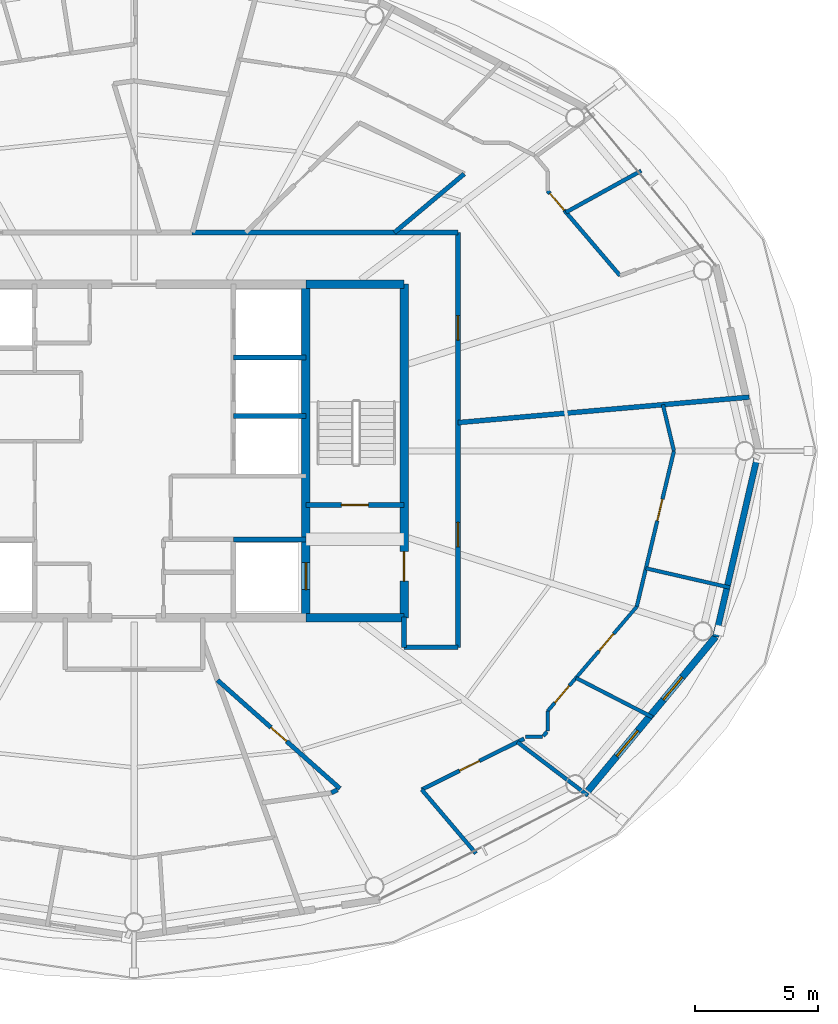
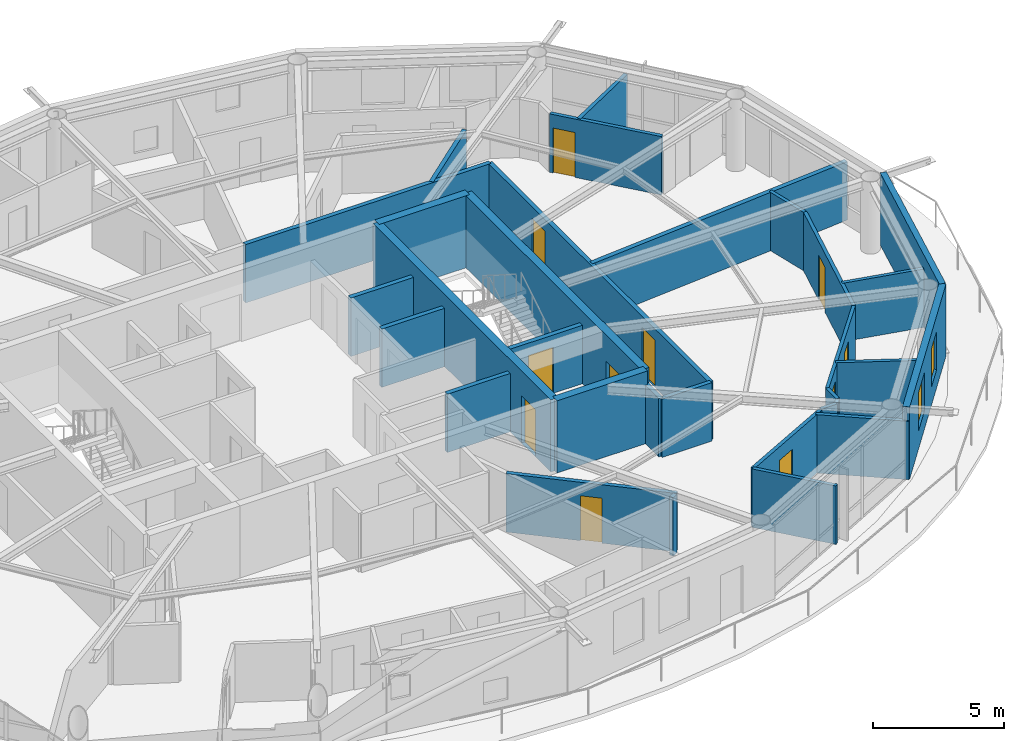
# One storey, part 18 of 23: 31 walls, 11 doors, 2 windows, 13 openings.
"""IFC4 building model written with IfcOpenShell, lengths in metres."""

from ifc_helpers import new_model, si_unit, direction, frame, frame_2d, origin, place, context, subcontext, project, spatial, rectangle, extrude, material, layer, layer_set, type_object, element, fill, save


model = new_model("IFC4")

# Units and contexts
model_context = context("Model", 3, precision=1e-05, world=origin(), true_north=direction((0.0, 1.0)))
body_context = subcontext(model_context, "Body", "Model", "MODEL_VIEW")
ifc_project = project(units=[si_unit("LENGTHUNIT", "METRE"), si_unit("AREAUNIT", "SQUARE_METRE"), si_unit("VOLUMEUNIT", "CUBIC_METRE"), si_unit("PLANEANGLEUNIT", "RADIAN"), si_unit("MASSUNIT", "GRAM", prefix="KILO")], contexts=[model_context])

# Site, building, storey
site_placement = place(None, origin())
site = spatial("IfcSite", under=ifc_project, at=site_placement, CompositionType="ELEMENT")
building_placement = place(site_placement, origin())
building = spatial("IfcBuilding", under=site, at=building_placement, Name="Sarneth Arch Tower", CompositionType="ELEMENT")
storey_placement = place(building_placement, frame((0.0, 0.0, 273.0)))
storey = spatial("IfcBuildingStorey", under=building, at=storey_placement, Name="L70", CompositionType="ELEMENT", Elevation=273.0)

# Walls
ifc_material_1 = material(Name="Concrete C50/60", Category="concrete")
ifc_layer_1 = layer(ifc_material_1, 0.35009765625)
ifc_layer_set_1 = layer_set([ifc_layer_1], Name="Concrete C50/60")
wall_type_1 = type_object("IfcWallType", Name="WALL-CORE-350", PredefinedType="SHEAR", material=ifc_layer_set_1)
for number, where, z_axis, x_axis, name in (
    (1, (55.0, 35.199951171875, 0.0), (0.0, 0.0, 1.0), (1.0, 0.0, 0.0), "L70 Core shear wall S-E"),
    (2, (55.0, 48.800048828125, 0.0), (0.0, 0.0, 1.0), (1.0, 0.0, 0.0), "L70 Core shear wall N-E"),
):
    element("IfcWall", number, at=place(storey_placement, frame(where, z_axis=z_axis, x_axis=x_axis)), inside=storey, type_object=wall_type_1, Name=name, PredefinedType="SHEAR", context=body_context, shape_type="SweptSolid", body=[
        extrude(rectangle(XDim=4.0, YDim=0.35009765625, at=frame_2d((2.0, 0.0))), origin(), (0.0, 0.0, 1.0), 3.3701171875),
    ])

# Wall, opening, door
wall_1_placement = place(storey_placement, frame((59.0, 35.199951171875, 0.0), z_axis=(0.0, 0.0, 1.0), x_axis=(0.0, 1.0, 0.0)))
wall_1 = element("IfcWall", 3, at=wall_1_placement, inside=storey, type_object=wall_type_1, Name="L70 Core shear wall E", PredefinedType="SHEAR", context=body_context, shape_type="SweptSolid", body=[
    extrude(rectangle(XDim=13.60009765625, YDim=0.35009765625, at=frame_2d((6.800048828125, 0.0))), origin(), (0.0, 0.0, 1.0), 3.3701171875),
])
opening_1_placement = place(wall_1_placement, frame((1.5, 0.0, 0.0)))
opening_1 = element("IfcOpeningElement", 4, at=opening_1_placement, cuts=wall_1, Name="Opening FD-02", PredefinedType="OPENING", context=body_context, shape_type="SweptSolid", body=[
    extrude(rectangle(XDim=1.199951171875, YDim=2.14990234375, at=frame_2d((0.60009765625, 1.074951171875))), frame((0.0, 0.18505859375, 0.0), z_axis=(0.0, -1.0, 0.0), x_axis=(1.0, 0.0, 0.0)), (0.0, 0.0, 1.0), 0.3701171875),
])
ifc_material_2 = material(Name="Galvanised Steel S275 fire door set", Category="steel")
door_type_1 = type_object("IfcDoorType", Name="DR-FD90-1200", OperationType="SINGLE_SWING_LEFT", PredefinedType="DOOR", material=ifc_material_2)
door_1_placement = place(opening_1_placement, origin())
door_1 = element("IfcDoor", 5, at=door_1_placement, inside=storey, type_object=door_type_1, Name="L70 Firefighting lobby 2 exit door", OperationType="SINGLE_SWING_RIGHT", OverallHeight=2.14990234375, OverallWidth=1.199951171875, PredefinedType="DOOR", context=body_context, shape_type="SweptSolid", body=[
    extrude(rectangle(XDim=1.199951171875, YDim=2.14990234375, at=frame_2d((0.60009765625, 1.074951171875))), frame((0.0, 0.02490234375, 0.0), z_axis=(0.0, -1.0, 0.0), x_axis=(1.0, 0.0, 0.0)), (0.0, 0.0, 1.0), 0.050048828125),
])
fill(opening_1, door_1)

wall_2_placement = place(storey_placement, frame((55.0, 35.199951171875, 0.0), z_axis=(0.0, 0.0, 1.0), x_axis=(0.0, 1.0, 0.0)))
wall_2 = element("IfcWall", 6, at=wall_2_placement, inside=storey, type_object=wall_type_1, Name="L70 Core shear wall WEB-E", PredefinedType="SHEAR", context=body_context, shape_type="SweptSolid", body=[
    extrude(rectangle(XDim=13.60009765625, YDim=0.35009765625, at=frame_2d((6.800048828125, 0.0))), origin(), (0.0, 0.0, 1.0), 3.3701171875),
])
opening_2_placement = place(wall_2_placement, frame((1.14990234375, 0.0, 0.0)))
opening_2 = element("IfcOpeningElement", 7, at=opening_2_placement, cuts=wall_2, Name="Opening LD-1", PredefinedType="OPENING", context=body_context, shape_type="SweptSolid", body=[
    extrude(rectangle(XDim=1.10009765625, YDim=2.199951171875, at=frame_2d((0.550048828125, 1.10009765625))), frame((0.0, 0.18505859375, 0.0), z_axis=(0.0, -1.0, 0.0), x_axis=(1.0, 0.0, 0.0)), (0.0, 0.0, 1.0), 0.3701171875),
])
ifc_material_3 = material(Name="Brushed Stainless Steel 304 lift landing door", Category="steel")
door_type_2 = type_object("IfcDoorType", Name="DR-LIFT-SLIDE-1100", OperationType="SLIDING_TO_LEFT", PredefinedType="DOOR", material=ifc_material_3)
door_2_placement = place(opening_2_placement, origin())
door_2 = element("IfcDoor", 8, at=door_2_placement, inside=storey, type_object=door_type_2, Name="L70 Firefighting lift landing door FL-2", OperationType="SLIDING_TO_RIGHT", OverallHeight=2.199951171875, OverallWidth=1.10009765625, PredefinedType="DOOR", context=body_context, shape_type="SweptSolid", body=[
    extrude(rectangle(XDim=1.10009765625, YDim=2.199951171875, at=frame_2d((0.550048828125, 1.10009765625))), frame((0.0, 0.02490234375, 0.0), z_axis=(0.0, -1.0, 0.0), x_axis=(1.0, 0.0, 0.0)), (0.0, 0.0, 1.0), 0.050048828125),
])
fill(opening_2, door_2)

# Wall, openings, doors
ifc_material_4 = material(Name="Double steel-stud corridor fire wall", Category="steel")
ifc_layer_2 = layer(ifc_material_4, 0.18994140625)
ifc_layer_set_2 = layer_set([ifc_layer_2], Name="Double steel-stud corridor fire wall")
wall_type_2 = type_object("IfcWallType", Name="WALL-CORR-190", PredefinedType="PARTITIONING", material=ifc_layer_set_2)
wall_3_placement = place(storey_placement, frame((61.199951171875, 50.89990234375, 0.0), z_axis=(0.0, 0.0, 1.0), x_axis=(0.0, -1.0, 0.0)))
wall_3 = element("IfcWall", 9, at=wall_3_placement, inside=storey, type_object=wall_type_2, Name="L70 Interior partition W-L70-TP-012", PredefinedType="PARTITIONING", context=body_context, shape_type="SweptSolid", body=[
    extrude(rectangle(XDim=16.89990234375, YDim=0.18994140625, at=frame_2d((8.449951171875, 0.0))), origin(), (0.0, 0.0, 1.0), 2.72998046875),
])
opening_3_placement = place(wall_3_placement, frame((11.806640625, 0.0, 0.0)))
opening_3 = element("IfcOpeningElement", 10, at=opening_3_placement, cuts=wall_3, Name="Opening FD-08", PredefinedType="OPENING", context=body_context, shape_type="SweptSolid", body=[
    extrude(rectangle(XDim=1.0, YDim=2.199951171875, at=frame_2d((0.5, 1.10009765625))), frame((0.0, 0.10498046875, 0.0), z_axis=(0.0, -1.0, 0.0), x_axis=(1.0, 0.0, 0.0)), (0.0, 0.0, 1.0), 0.2099609375),
])
opening_4_placement = place(wall_3_placement, frame((3.388671875, 0.0, 0.0)))
opening_4 = element("IfcOpeningElement", 11, at=opening_4_placement, cuts=wall_3, Name="Opening FD-08", PredefinedType="OPENING", context=body_context, shape_type="SweptSolid", body=[
    extrude(rectangle(XDim=1.0, YDim=2.199951171875, at=frame_2d((0.5, 1.10009765625))), frame((0.0, 0.10498046875, 0.0), z_axis=(0.0, -1.0, 0.0), x_axis=(1.0, 0.0, 0.0)), (0.0, 0.0, 1.0), 0.2099609375),
])
ifc_material_5 = material(Name="Hardwood timber acoustic fire door", Category="wood")
door_type_3 = type_object("IfcDoorType", Name="DR-FD60-1000", OperationType="SINGLE_SWING_LEFT", PredefinedType="DOOR", material=ifc_material_5)
door_3_placement = place(opening_3_placement, origin())
door_3 = element("IfcDoor", 12, at=door_3_placement, inside=storey, type_object=door_type_3, Name="L70 Interior door DR-L70-U5-ENT", OperationType="SINGLE_SWING_RIGHT", OverallHeight=2.199951171875, OverallWidth=1.0, PredefinedType="DOOR", context=body_context, shape_type="SweptSolid", body=[
    extrude(rectangle(XDim=1.0, YDim=2.199951171875, at=frame_2d((0.5, 1.10009765625))), frame((0.0, 0.02490234375, 0.0), z_axis=(0.0, -1.0, 0.0), x_axis=(1.0, 0.0, 0.0)), (0.0, 0.0, 1.0), 0.050048828125),
])
fill(opening_3, door_3)
door_4_placement = place(opening_4_placement, origin())
door_4 = element("IfcDoor", 13, at=door_4_placement, inside=storey, type_object=door_type_3, Name="L70 Interior door DR-L70-U1-ENT", OperationType="SINGLE_SWING_LEFT", OverallHeight=2.199951171875, OverallWidth=1.0, PredefinedType="DOOR", context=body_context, shape_type="SweptSolid", body=[
    extrude(rectangle(XDim=1.0, YDim=2.199951171875, at=frame_2d((0.5, 1.10009765625))), frame((0.0, 0.02490234375, 0.0), z_axis=(0.0, -1.0, 0.0), x_axis=(1.0, 0.0, 0.0)), (0.0, 0.0, 1.0), 0.050048828125),
])
fill(opening_4, door_4)

# Walls
wall_4_placement = place(storey_placement, frame((50.3515625, 50.89990234375, 0.0), z_axis=(0.0, 0.0, 1.0), x_axis=(1.0, 0.0, 0.0)))
element("IfcWall", 14, at=wall_4_placement, inside=storey, type_object=wall_type_2, Name="L70 Interior partition W-L70-TP-004", PredefinedType="PARTITIONING", context=body_context, shape_type="SweptSolid", body=[
    extrude(rectangle(XDim=10.848388671875, YDim=0.18994140625, at=frame_2d((5.42431640625, 0.0))), origin(), (0.0, 0.0, 1.0), 2.72998046875),
])
wall_5_placement = place(storey_placement, frame((61.199951171875, 34.0, 0.0), z_axis=(0.0, 0.0, 1.0), x_axis=(-1.0, 0.0, 0.0)))
element("IfcWall", 15, at=wall_5_placement, inside=storey, type_object=wall_type_2, Name="L70 Interior partition W-L70-TP-013", PredefinedType="PARTITIONING", context=body_context, shape_type="SweptSolid", body=[
    extrude(rectangle(XDim=2.199951171875, YDim=0.18994140625, at=frame_2d((1.10009765625, 0.0))), origin(), (0.0, 0.0, 1.0), 2.72998046875),
])
wall_6_placement = place(storey_placement, frame((59.0, 34.0, 0.0), z_axis=(0.0, 0.0, 1.0), x_axis=(0.0, 1.0, 0.0)))
element("IfcWall", 16, at=wall_6_placement, inside=storey, type_object=wall_type_2, Name="L70 Interior partition W-L70-TP-014", PredefinedType="PARTITIONING", context=body_context, shape_type="SweptSolid", body=[
    extrude(rectangle(XDim=1.23193359375, YDim=0.18994140625, at=frame_2d((0.615966796875, 0.0))), origin(), (0.0, 0.0, 1.0), 2.72998046875),
])
ifc_material_6 = material(Name="Extruded terracotta rainscreen on Concrete C40/50 backing", Category="masonry")
ifc_layer_3 = layer(ifc_material_6, 0.25)
ifc_layer_set_3 = layer_set([ifc_layer_3], Name="Extruded terracotta rainscreen on Concrete C40/50 backing")
wall_type_3 = type_object("IfcWallType", Name="WALL-EXT-SPAND-250", PredefinedType="SOLIDWALL", material=ifc_layer_set_3)
wall_7_placement = place(storey_placement, frame((71.69384765625, 34.430419921875, 0.0), z_axis=(0.0, 0.0, 1.0), x_axis=(0.225635078214, 0.974211892495, 0.0)))
element("IfcWall", 17, at=wall_7_placement, inside=storey, type_object=wall_type_3, Name="L70 Terracotta perimeter wall 16", PredefinedType="SOLIDWALL", context=body_context, shape_type="SweptSolid", body=[
    extrude(rectangle(XDim=7.77001953125, YDim=0.25, at=frame_2d((3.885009765625, 0.0))), origin(), (0.0, 0.0, 1.0), 3.3701171875),
])

# Wall, openings, windows
ifc_material_7 = material(Name="Extruded terracotta rainscreen on Concrete C40/50 backing", Category="masonry")
ifc_layer_4 = layer(ifc_material_7, 0.280029296875)
ifc_layer_set_4 = layer_set([ifc_layer_4], Name="Extruded terracotta rainscreen on Concrete C40/50 backing")
wall_type_4 = type_object("IfcWallType", Name="WALL-EXT-TERRA-280", PredefinedType="SOLIDWALL", material=ifc_layer_set_4)
wall_8_placement = place(storey_placement, frame((66.382568359375, 28.013427734375, 0.0), z_axis=(0.0, 0.0, 1.0), x_axis=(0.63761509934, 0.770355103243, 0.0)))
wall_8 = element("IfcWall", 18, at=wall_8_placement, inside=storey, type_object=wall_type_4, Name="L70 Terracotta perimeter wall 15", PredefinedType="SOLIDWALL", context=body_context, shape_type="SweptSolid", body=[
    extrude(rectangle(XDim=8.329833984375, YDim=0.280029296875, at=frame_2d((4.1650390625, 0.0))), origin(), (0.0, 0.0, 1.0), 3.3701171875),
])
opening_5_placement = place(wall_8_placement, frame((2.010986328125, 0.0, 0.85009765625)))
opening_5 = element("IfcOpeningElement", 19, at=opening_5_placement, cuts=wall_8, Name="Opening W-08", PredefinedType="OPENING", context=body_context, shape_type="SweptSolid", body=[
    extrude(rectangle(XDim=1.35009765625, YDim=1.800048828125, at=frame_2d((0.675048828125, 0.89990234375))), frame((0.0, 0.14990234375, 0.0), z_axis=(0.0, -1.0, 0.0), x_axis=(1.0, 0.0, 0.0)), (0.0, 0.0, 1.0), 0.300048828125),
])
opening_6_placement = place(wall_8_placement, frame((4.990966796875, 0.0, 0.85009765625)))
opening_6 = element("IfcOpeningElement", 20, at=opening_6_placement, cuts=wall_8, Name="Opening W-09", PredefinedType="OPENING", context=body_context, shape_type="SweptSolid", body=[
    extrude(rectangle(XDim=1.199951171875, YDim=1.800048828125, at=frame_2d((0.60009765625, 0.89990234375))), frame((0.0, 0.14990234375, 0.0), z_axis=(0.0, -1.0, 0.0), x_axis=(1.0, 0.0, 0.0)), (0.0, 0.0, 1.0), 0.300048828125),
])
ifc_material_8 = material(Name="Thermally broken Aluminium 6063-T6 and low-e laminated IGU", Category="aluminium")
window_type_1 = type_object("IfcWindowType", Name="WIN-TWR-1200x1800", PartitioningType="SINGLE_PANEL", PredefinedType="WINDOW", material=ifc_material_8)
window_1_placement = place(opening_6_placement, origin())
window_1 = element("IfcWindow", 21, at=window_1_placement, inside=storey, type_object=window_type_1, Name="L70 Exterior window 15B", OverallHeight=1.800048828125, OverallWidth=1.199951171875, PartitioningType="SINGLE_PANEL", PredefinedType="WINDOW", context=body_context, shape_type="SweptSolid", body=[
    extrude(rectangle(XDim=1.199951171875, YDim=1.800048828125, at=frame_2d((0.60009765625, 0.89990234375))), frame((0.0, 0.030029296875, 0.0), z_axis=(0.0, -1.0, 0.0), x_axis=(1.0, 0.0, 0.0)), (0.0, 0.0, 1.0), 0.06005859375),
])
fill(opening_6, window_1)
ifc_material_9 = material(Name="Thermally broken Aluminium 6063-T6 and low-e laminated IGU", Category="aluminium")
window_type_2 = type_object("IfcWindowType", Name="WIN-TWR-1350x1800", PartitioningType="SINGLE_PANEL", PredefinedType="WINDOW", material=ifc_material_9)
window_2_placement = place(opening_5_placement, origin())
window_2 = element("IfcWindow", 22, at=window_2_placement, inside=storey, type_object=window_type_2, Name="L70 Exterior window 15A", OverallHeight=1.800048828125, OverallWidth=1.35009765625, PartitioningType="SINGLE_PANEL", PredefinedType="WINDOW", context=body_context, shape_type="SweptSolid", body=[
    extrude(rectangle(XDim=1.35009765625, YDim=1.800048828125, at=frame_2d((0.675048828125, 0.89990234375))), frame((0.0, 0.030029296875, 0.0), z_axis=(0.0, -1.0, 0.0), x_axis=(1.0, 0.0, 0.0)), (0.0, 0.0, 1.0), 0.06005859375),
])
fill(opening_5, window_2)

# Wall, openings, doors
ifc_material_10 = material(Name="Apartment internal stud partition", Category="gypsum")
ifc_layer_5 = layer(ifc_material_10, 0.139892578125)
ifc_layer_set_5 = layer_set([ifc_layer_5], Name="Apartment internal stud partition")
wall_type_5 = type_object("IfcWallType", Name="WALL-PART-140", PredefinedType="PARTITIONING", material=ifc_layer_set_5)
wall_9_placement = place(storey_placement, frame((64.85009765625, 31.401123046875, 0.0), z_axis=(0.0, 0.0, 1.0), x_axis=(0.649208179997, 0.760610767097, 0.0)))
wall_9 = element("IfcWall", 23, at=wall_9_placement, inside=storey, type_object=wall_type_5, Name="L70 Interior partition W-L70-TP-091", PredefinedType="PARTITIONING", context=body_context, shape_type="SweptSolid", body=[
    extrude(rectangle(XDim=5.5927734375, YDim=0.139892578125, at=frame_2d((2.79638671875, 0.0))), origin(), (0.0, 0.0, 1.0), 2.72998046875),
])
opening_7_placement = place(wall_9_placement, frame((3.235107421875, 0.0, 0.0)))
opening_7 = element("IfcOpeningElement", 24, at=opening_7_placement, cuts=wall_9, Name="Opening ID-01", PredefinedType="OPENING", context=body_context, shape_type="SweptSolid", body=[
    extrude(rectangle(XDim=0.89990234375, YDim=2.10009765625, at=frame_2d((0.449951171875, 1.050048828125))), frame((0.0, 0.079833984375, 0.0), z_axis=(0.0, -1.0, 0.0), x_axis=(1.0, 0.0, 0.0)), (0.0, 0.0, 1.0), 0.159912109375),
])
opening_8_placement = place(wall_9_placement, frame((0.455078125, 0.0, 0.0)))
opening_8 = element("IfcOpeningElement", 25, at=opening_8_placement, cuts=wall_9, Name="Opening ID-01", PredefinedType="OPENING", context=body_context, shape_type="SweptSolid", body=[
    extrude(rectangle(XDim=0.89990234375, YDim=2.10009765625, at=frame_2d((0.449951171875, 1.050048828125))), frame((0.0, 0.079833984375, 0.0), z_axis=(0.0, -1.0, 0.0), x_axis=(1.0, 0.0, 0.0)), (0.0, 0.0, 1.0), 0.159912109375),
])
ifc_material_11 = material(Name="Engineered hardwood flush door", Category="wood")
door_type_4 = type_object("IfcDoorType", Name="DR-INT-900", OperationType="SINGLE_SWING_LEFT", PredefinedType="DOOR", material=ifc_material_11)
door_5_placement = place(opening_7_placement, origin())
door_5 = element("IfcDoor", 26, at=door_5_placement, inside=storey, type_object=door_type_4, Name="L70 Interior door DR-L70-U5-BED2", OperationType="SINGLE_SWING_LEFT", OverallHeight=2.10009765625, OverallWidth=0.89990234375, PredefinedType="DOOR", context=body_context, shape_type="SweptSolid", body=[
    extrude(rectangle(XDim=0.89990234375, YDim=2.10009765625, at=frame_2d((0.449951171875, 1.050048828125))), frame((0.0, 0.02490234375, 0.0), z_axis=(0.0, -1.0, 0.0), x_axis=(1.0, 0.0, 0.0)), (0.0, 0.0, 1.0), 0.050048828125),
])
fill(opening_7, door_5)
door_6_placement = place(opening_8_placement, origin())
door_6 = element("IfcDoor", 27, at=door_6_placement, inside=storey, type_object=door_type_4, Name="L70 Interior door DR-L70-U5-BED1", OperationType="SINGLE_SWING_RIGHT", OverallHeight=2.10009765625, OverallWidth=0.89990234375, PredefinedType="DOOR", context=body_context, shape_type="SweptSolid", body=[
    extrude(rectangle(XDim=0.89990234375, YDim=2.10009765625, at=frame_2d((0.449951171875, 1.050048828125))), frame((0.0, 0.02490234375, 0.0), z_axis=(0.0, -1.0, 0.0), x_axis=(1.0, 0.0, 0.0)), (0.0, 0.0, 1.0), 0.050048828125),
])
fill(opening_8, door_6)

# Wall, opening, door
ifc_material_12 = material(Name="Acoustic gypsum stud partition", Category="gypsum")
ifc_layer_6 = layer(ifc_material_12, 0.14990234375)
ifc_layer_set_6 = layer_set([ifc_layer_6], Name="Acoustic gypsum stud partition")
wall_type_6 = type_object("IfcWallType", Name="WALL-PART-150", PredefinedType="PARTITIONING", material=ifc_layer_set_6)
wall_10_placement = place(storey_placement, frame((69.996337890625, 42.0, 0.0), z_axis=(0.0, 0.0, 1.0), x_axis=(-0.232298462197, -0.972644551962, 0.0)))
wall_10 = element("IfcWall", 28, at=wall_10_placement, inside=storey, type_object=wall_type_6, Name="L70 Interior partition W-L70-TP-094", PredefinedType="PARTITIONING", context=body_context, shape_type="SweptSolid", body=[
    extrude(rectangle(XDim=6.5234375, YDim=0.14990234375, at=frame_2d((3.26171875, 0.0))), origin(), (0.0, 0.0, 1.0), 2.72998046875),
])
opening_9_placement = place(wall_10_placement, frame((2.024169921875, 0.0, 0.0)))
opening_9 = element("IfcOpeningElement", 29, at=opening_9_placement, cuts=wall_10, Name="Opening ID-01", PredefinedType="OPENING", context=body_context, shape_type="SweptSolid", body=[
    extrude(rectangle(XDim=0.89990234375, YDim=2.10009765625, at=frame_2d((0.449951171875, 1.050048828125))), frame((0.0, 0.0849609375, 0.0), z_axis=(0.0, -1.0, 0.0), x_axis=(1.0, 0.0, 0.0)), (0.0, 0.0, 1.0), 0.169921875),
])
door_7_placement = place(opening_9_placement, origin())
door_7 = element("IfcDoor", 30, at=door_7_placement, inside=storey, type_object=door_type_4, Name="L70 Interior door DR-L70-U5-BED3", OperationType="SINGLE_SWING_LEFT", OverallHeight=2.10009765625, OverallWidth=0.89990234375, PredefinedType="DOOR", context=body_context, shape_type="SweptSolid", body=[
    extrude(rectangle(XDim=0.89990234375, YDim=2.10009765625, at=frame_2d((0.449951171875, 1.050048828125))), frame((0.0, 0.02490234375, 0.0), z_axis=(0.0, -1.0, 0.0), x_axis=(1.0, 0.0, 0.0)), (0.0, 0.0, 1.0), 0.050048828125),
])
fill(opening_9, door_7)

# Walls
wall_11_placement = place(storey_placement, frame((72.280517578125, 36.432373046875, 0.0), z_axis=(0.0, 0.0, 1.0), x_axis=(-0.974703956651, 0.223499881182, 0.0)))
element("IfcWall", 31, at=wall_11_placement, inside=storey, type_object=wall_type_6, Name="L70 Interior partition W-L70-TP-097", PredefinedType="PARTITIONING", context=body_context, shape_type="SweptSolid", body=[
    extrude(rectangle(XDim=3.51513671875, YDim=0.14990234375, at=frame_2d((1.757568359375, 0.0))), origin(), (0.0, 0.0, 1.0), 2.72998046875),
])
wall_12_placement = place(storey_placement, frame((69.128662109375, 31.147705078125, 0.0), z_axis=(0.0, 0.0, 1.0), x_axis=(-0.889538013169, 0.456861163951, 0.0)))
element("IfcWall", 32, at=wall_12_placement, inside=storey, type_object=wall_type_6, Name="L70 Interior partition W-L70-TP-096", PredefinedType="PARTITIONING", context=body_context, shape_type="SweptSolid", body=[
    extrude(rectangle(XDim=3.512939453125, YDim=0.14990234375, at=frame_2d((1.75634765625, 0.0))), origin(), (0.0, 0.0, 1.0), 2.72998046875),
])
wall_13_placement = place(storey_placement, frame((69.546142578125, 43.885009765625, 0.0), z_axis=(0.0, 0.0, 1.0), x_axis=(0.232296027223, -0.972645133508, 0.0)))
element("IfcWall", 33, at=wall_13_placement, inside=storey, type_object=wall_type_6, Name="L70 Interior partition W-L70-TP-093", PredefinedType="PARTITIONING", context=body_context, shape_type="SweptSolid", body=[
    extrude(rectangle(XDim=1.93798828125, YDim=0.14990234375, at=frame_2d((0.968994140625, 0.0))), origin(), (0.0, 0.0, 1.0), 2.72998046875),
])
wall_14_placement = place(storey_placement, frame((64.85009765625, 31.401123046875, 0.0), z_axis=(0.0, 0.0, 1.0), x_axis=(0.0, -1.0, 0.0)))
element("IfcWall", 34, at=wall_14_placement, inside=storey, type_object=wall_type_6, Name="L70 Interior partition W-L70-TP-087", PredefinedType="PARTITIONING", context=body_context, shape_type="SweptSolid", body=[
    extrude(rectangle(XDim=0.8115234375, YDim=0.14990234375, at=frame_2d((0.40576171875, 0.0))), origin(), (0.0, 0.0, 1.0), 2.72998046875),
])
wall_15_placement = place(storey_placement, frame((64.6455078125, 30.35009765625, 0.0), z_axis=(0.0, 0.0, 1.0), x_axis=(-1.0, 0.0, 0.0)))
element("IfcWall", 35, at=wall_15_placement, inside=storey, type_object=wall_type_6, Name="L70 Interior partition W-L70-TP-089", PredefinedType="PARTITIONING", context=body_context, shape_type="SweptSolid", body=[
    extrude(rectangle(XDim=0.692626953125, YDim=0.14990234375, at=frame_2d((0.34619140625, 0.0))), origin(), (0.0, 0.0, 1.0), 2.72998046875),
])
wall_16_placement = place(storey_placement, frame((64.823974609375, 30.559326171875, 0.0), z_axis=(0.0, 0.0, 1.0), x_axis=(-0.648874632887, -0.760895334981, 0.0)))
element("IfcWall", 36, at=wall_16_placement, inside=storey, type_object=wall_type_6, Name="L70 Interior partition W-L70-TP-088", PredefinedType="PARTITIONING", context=body_context, shape_type="SweptSolid", body=[
    extrude(rectangle(XDim=0.23095703125, YDim=0.14990234375, at=frame_2d((0.115478515625, 0.0))), origin(), (0.0, 0.0, 1.0), 2.72998046875),
])

# Wall, opening, door
ifc_material_13 = material(Name="Kitchen wet service chase wall", Category="gypsum")
ifc_layer_7 = layer(ifc_material_13, 0.159912109375)
ifc_layer_set_7 = layer_set([ifc_layer_7], Name="Kitchen wet service chase wall")
wall_type_7 = type_object("IfcWallType", Name="WALL-PLUMB-160", PredefinedType="PLUMBINGWALL", material=ifc_layer_set_7)
wall_17_placement = place(storey_placement, frame((59.71826171875, 28.203857421875, 0.0), z_axis=(0.0, 0.0, 1.0), x_axis=(0.895587741002, 0.444884926882, 0.0)))
wall_17 = element("IfcWall", 37, at=wall_17_placement, inside=storey, type_object=wall_type_7, Name="L70 Interior partition W-L70-TP-082", PredefinedType="PLUMBINGWALL", context=body_context, shape_type="SweptSolid", body=[
    extrude(rectangle(XDim=4.657958984375, YDim=0.159912109375, at=frame_2d((2.3291015625, 0.0))), origin(), (0.0, 0.0, 1.0), 2.72998046875),
])
opening_10_placement = place(wall_17_placement, frame((1.727783203125, 0.0, 0.0)))
opening_10 = element("IfcOpeningElement", 38, at=opening_10_placement, cuts=wall_17, Name="Opening ID-01", PredefinedType="OPENING", context=body_context, shape_type="SweptSolid", body=[
    extrude(rectangle(XDim=0.89990234375, YDim=2.10009765625, at=frame_2d((0.449951171875, 1.050048828125))), frame((0.0, 0.08984375, 0.0), z_axis=(0.0, -1.0, 0.0), x_axis=(1.0, 0.0, 0.0)), (0.0, 0.0, 1.0), 0.179931640625),
])
door_8_placement = place(opening_10_placement, origin())
door_8 = element("IfcDoor", 39, at=door_8_placement, inside=storey, type_object=door_type_4, Name="L70 Interior door DR-L70-U5-KIT", OperationType="SINGLE_SWING_LEFT", OverallHeight=2.10009765625, OverallWidth=0.89990234375, PredefinedType="DOOR", context=body_context, shape_type="SweptSolid", body=[
    extrude(rectangle(XDim=0.89990234375, YDim=2.10009765625, at=frame_2d((0.449951171875, 1.050048828125))), frame((0.0, 0.02490234375, 0.0), z_axis=(0.0, -1.0, 0.0), x_axis=(1.0, 0.0, 0.0)), (0.0, 0.0, 1.0), 0.050048828125),
])
fill(opening_10, door_8)

# Walls
wall_18_placement = place(storey_placement, frame((63.619140625, 30.1416015625, 0.0), z_axis=(0.0, 0.0, 1.0), x_axis=(0.796471054337, -0.604676657068, 0.0)))
element("IfcWall", 40, at=wall_18_placement, inside=storey, type_object=wall_type_7, Name="L70 Interior partition W-L70-TP-095", PredefinedType="PLUMBINGWALL", context=body_context, shape_type="SweptSolid", body=[
    extrude(rectangle(XDim=3.608642578125, YDim=0.159912109375, at=frame_2d((1.80419921875, 0.0))), origin(), (0.0, 0.0, 1.0), 2.72998046875),
])
wall_19_placement = place(storey_placement, frame((65.596923828125, 51.7236328125, 0.0), z_axis=(0.0, 0.0, 1.0), x_axis=(0.875279589691, 0.483617245216, 0.0)))
element("IfcWall", 41, at=wall_19_placement, inside=storey, type_object=wall_type_7, Name="L70 Interior partition W-L70-TP-037", PredefinedType="PLUMBINGWALL", context=body_context, shape_type="SweptSolid", body=[
    extrude(rectangle(XDim=3.501953125, YDim=0.159912109375, at=frame_2d((1.7509765625, 0.0))), origin(), (0.0, 0.0, 1.0), 2.72998046875),
])
wall_20_placement = place(storey_placement, frame((61.92919921875, 25.600830078125, 0.0), z_axis=(0.0, 0.0, 1.0), x_axis=(-0.64737032118, 0.762175614446, 0.0)))
element("IfcWall", 42, at=wall_20_placement, inside=storey, type_object=wall_type_7, Name="L70 Interior partition W-L70-TP-081", PredefinedType="PLUMBINGWALL", context=body_context, shape_type="SweptSolid", body=[
    extrude(rectangle(XDim=3.415283203125, YDim=0.159912109375, at=frame_2d((1.70751953125, 0.0))), origin(), (0.0, 0.0, 1.0), 2.72998046875),
])

# Wall, opening, door
wall_21_placement = place(storey_placement, frame((67.798583984375, 49.144287109375, 0.0), z_axis=(0.0, 0.0, 1.0), x_axis=(-0.649191845301, 0.760624709035, 0.0)))
wall_21 = element("IfcWall", 43, at=wall_21_placement, inside=storey, type_object=wall_type_7, Name="L70 Interior partition W-L70-TP-023", PredefinedType="PLUMBINGWALL", context=body_context, shape_type="SweptSolid", body=[
    extrude(rectangle(XDim=4.541748046875, YDim=0.159912109375, at=frame_2d((2.27099609375, 0.0))), origin(), (0.0, 0.0, 1.0), 2.72998046875),
])
opening_11_placement = place(wall_21_placement, frame((3.500244140625, 0.0, 0.0)))
opening_11 = element("IfcOpeningElement", 44, at=opening_11_placement, cuts=wall_21, Name="Opening ID-01", PredefinedType="OPENING", context=body_context, shape_type="SweptSolid", body=[
    extrude(rectangle(XDim=0.89990234375, YDim=2.10009765625, at=frame_2d((0.449951171875, 1.050048828125))), frame((0.0, 0.08984375, 0.0), z_axis=(0.0, -1.0, 0.0), x_axis=(1.0, 0.0, 0.0)), (0.0, 0.0, 1.0), 0.179931640625),
])
door_9_placement = place(opening_11_placement, origin())
door_9 = element("IfcDoor", 45, at=door_9_placement, inside=storey, type_object=door_type_4, Name="L70 Interior door DR-L70-U1-STD", OperationType="SINGLE_SWING_LEFT", OverallHeight=2.10009765625, OverallWidth=0.89990234375, PredefinedType="DOOR", context=body_context, shape_type="SweptSolid", body=[
    extrude(rectangle(XDim=0.89990234375, YDim=2.10009765625, at=frame_2d((0.449951171875, 1.050048828125))), frame((0.0, 0.02490234375, 0.0), z_axis=(0.0, -1.0, 0.0), x_axis=(1.0, 0.0, 0.0)), (0.0, 0.0, 1.0), 0.050048828125),
])
fill(opening_11, door_9)

ifc_material_14 = material(Name="Moisture-resistant plumbing chase wall", Category="gypsum")
ifc_layer_8 = layer(ifc_material_14, 0.179931640625)
ifc_layer_set_8 = layer_set([ifc_layer_8], Name="Moisture-resistant plumbing chase wall")
wall_type_8 = type_object("IfcWallType", Name="WALL-PLUMB-180", PredefinedType="PLUMBINGWALL", material=ifc_layer_set_8)
wall_22_placement = place(storey_placement, frame((56.389404296875, 28.24609375, 0.0), z_axis=(0.0, 0.0, 1.0), x_axis=(-0.749087509224, 0.662471058632, 0.0)))
wall_22 = element("IfcWall", 46, at=wall_22_placement, inside=storey, type_object=wall_type_8, Name="L70 Interior partition W-L70-TP-085", PredefinedType="PLUMBINGWALL", context=body_context, shape_type="SweptSolid", body=[
    extrude(rectangle(XDim=6.660400390625, YDim=0.179931640625, at=frame_2d((3.330078125, 0.0))), origin(), (0.0, 0.0, 1.0), 2.72998046875),
])
opening_12_placement = place(wall_22_placement, frame((2.9052734375, 0.0, 0.0)))
opening_12 = element("IfcOpeningElement", 47, at=opening_12_placement, cuts=wall_22, Name="Opening ID-02", PredefinedType="OPENING", context=body_context, shape_type="SweptSolid", body=[
    extrude(rectangle(XDim=0.85009765625, YDim=2.10009765625, at=frame_2d((0.425048828125, 1.050048828125))), frame((0.0, 0.099853515625, 0.0), z_axis=(0.0, -1.0, 0.0), x_axis=(1.0, 0.0, 0.0)), (0.0, 0.0, 1.0), 0.199951171875),
])
ifc_material_15 = material(Name="Moisture-resistant bathroom timber door", Category="wood")
door_type_5 = type_object("IfcDoorType", Name="DR-INT-850", OperationType="SINGLE_SWING_RIGHT", PredefinedType="DOOR", material=ifc_material_15)
door_10_placement = place(opening_12_placement, origin())
door_10 = element("IfcDoor", 48, at=door_10_placement, inside=storey, type_object=door_type_5, Name="L70 Interior door DR-L70-U5-BATH", OperationType="SINGLE_SWING_LEFT", OverallHeight=2.10009765625, OverallWidth=0.85009765625, PredefinedType="DOOR", context=body_context, shape_type="SweptSolid", body=[
    extrude(rectangle(XDim=0.85009765625, YDim=2.10009765625, at=frame_2d((0.425048828125, 1.050048828125))), frame((0.0, 0.02490234375, 0.0), z_axis=(0.0, -1.0, 0.0), x_axis=(1.0, 0.0, 0.0)), (0.0, 0.0, 1.0), 0.050048828125),
])
fill(opening_12, door_10)

# Walls
wall_23_placement = place(storey_placement, frame((58.606689453125, 50.89990234375, 0.0), z_axis=(0.0, 0.0, 1.0), x_axis=(0.766018186203, 0.642818900163, 0.0)))
element("IfcWall", 49, at=wall_23_placement, inside=storey, type_object=wall_type_8, Name="L70 Interior partition W-L70-TP-024", PredefinedType="PLUMBINGWALL", context=body_context, shape_type="SweptSolid", body=[
    extrude(rectangle(XDim=3.713623046875, YDim=0.179931640625, at=frame_2d((1.85693359375, 0.0))), origin(), (0.0, 0.0, 1.0), 2.72998046875),
])
wall_24_placement = place(storey_placement, frame((56.038330078125, 28.074951171875, 0.0), z_axis=(0.0, 0.0, 1.0), x_axis=(0.899071871525, 0.437801061937, 0.0)))
element("IfcWall", 50, at=wall_24_placement, inside=storey, type_object=wall_type_8, Name="L70 Interior partition W-L70-TP-084", PredefinedType="PLUMBINGWALL", context=body_context, shape_type="SweptSolid", body=[
    extrude(rectangle(XDim=0.2705078125, YDim=0.179931640625, at=frame_2d((0.13525390625, 0.0))), origin(), (0.0, 0.0, 1.0), 2.72998046875),
])

# Wall, opening, door
ifc_material_16 = material(Name="Aerated concrete blockwork C25/30", Category="masonry")
ifc_layer_9 = layer(ifc_material_16, 0.199951171875)
ifc_layer_set_9 = layer_set([ifc_layer_9], Name="Aerated concrete blockwork C25/30")
wall_type_9 = type_object("IfcWallType", Name="WALL-SHAFT-200", PredefinedType="SOLIDWALL", material=ifc_layer_set_9)
wall_25_placement = place(storey_placement, frame((55.0, 39.800048828125, 0.0), z_axis=(0.0, 0.0, 1.0), x_axis=(1.0, 0.0, 0.0)))
wall_25 = element("IfcWall", 51, at=wall_25_placement, inside=storey, type_object=wall_type_9, Name="L70 Interior partition W-L70-ST2-S", PredefinedType="SOLIDWALL", context=body_context, shape_type="SweptSolid", body=[
    extrude(rectangle(XDim=4.0, YDim=0.199951171875, at=frame_2d((2.0, 0.0))), origin(), (0.0, 0.0, 1.0), 2.72998046875),
])
opening_13_placement = place(wall_25_placement, frame((1.449951171875, 0.0, 0.0)))
opening_13 = element("IfcOpeningElement", 52, at=opening_13_placement, cuts=wall_25, Name="Opening FD-03", PredefinedType="OPENING", context=body_context, shape_type="SweptSolid", body=[
    extrude(rectangle(XDim=1.10009765625, YDim=2.14990234375, at=frame_2d((0.550048828125, 1.074951171875))), frame((0.0, 0.10986328125, 0.0), z_axis=(0.0, -1.0, 0.0), x_axis=(1.0, 0.0, 0.0)), (0.0, 0.0, 1.0), 0.219970703125),
])
ifc_material_17 = material(Name="Galvanised Steel S275 fire door set", Category="steel")
door_type_6 = type_object("IfcDoorType", Name="DR-FD90-1100", OperationType="SINGLE_SWING_LEFT", PredefinedType="DOOR", material=ifc_material_17)
door_11_placement = place(opening_13_placement, origin())
door_11 = element("IfcDoor", 53, at=door_11_placement, inside=storey, type_object=door_type_6, Name="L70 Interior door DR-L70-ST2", OperationType="SINGLE_SWING_RIGHT", OverallHeight=2.14990234375, OverallWidth=1.10009765625, PredefinedType="DOOR", context=body_context, shape_type="SweptSolid", body=[
    extrude(rectangle(XDim=1.10009765625, YDim=2.14990234375, at=frame_2d((0.550048828125, 1.074951171875))), frame((0.0, 0.02490234375, 0.0), z_axis=(0.0, -1.0, 0.0), x_axis=(1.0, 0.0, 0.0)), (0.0, 0.0, 1.0), 0.050048828125),
])
fill(opening_13, door_11)

# Walls
for number, where, z_axis, x_axis, name in (
    (54, (52.050048828125, 38.39990234375, 0.0), (0.0, 0.0, 1.0), (1.0, 0.0, 0.0), "L70 Interior partition W-L70-FL2-N"),
    (55, (52.050048828125, 43.419921875, 0.0), (0.0, 0.0, 1.0), (1.0, 0.0, 0.0), "L70 Interior partition W-L70-EB-DIV-4342"),
    (56, (52.050048828125, 45.800048828125, 0.0), (0.0, 0.0, 1.0), (1.0, 0.0, 0.0), "L70 Interior partition W-L70-EB-DIV-4580"),
):
    element("IfcWall", number, at=place(storey_placement, frame(where, z_axis=z_axis, x_axis=x_axis)), inside=storey, type_object=wall_type_9, Name=name, PredefinedType="SOLIDWALL", context=body_context, shape_type="SweptSolid", body=[
        extrude(rectangle(XDim=2.949951171875, YDim=0.199951171875, at=frame_2d((1.47509765625, 0.0))), origin(), (0.0, 0.0, 1.0), 2.72998046875),
    ])
ifc_material_18 = material(Name="Double steel-stud acoustic drywall", Category="steel")
ifc_layer_10 = layer(ifc_material_18, 0.199951171875)
ifc_layer_set_10 = layer_set([ifc_layer_10], Name="Double steel-stud acoustic drywall")
wall_type_10 = type_object("IfcWallType", Name="WALL-UNIT-200", PredefinedType="PARTITIONING", material=ifc_layer_set_10)
wall_26_placement = place(storey_placement, frame((73.06103515625, 44.1923828125, 0.0), z_axis=(0.0, 0.0, 1.0), x_axis=(-0.996195520097, -0.087146346673, 0.0)))
element("IfcWall", 57, at=wall_26_placement, inside=storey, type_object=wall_type_10, Name="L70 Interior partition W-L70-TP-035", PredefinedType="PARTITIONING", context=body_context, shape_type="SweptSolid", body=[
    extrude(rectangle(XDim=11.906494140625, YDim=0.199951171875, at=frame_2d((5.953125, 0.0))), origin(), (0.0, 0.0, 1.0), 2.72998046875),
])

save(model, "model.ifc")
